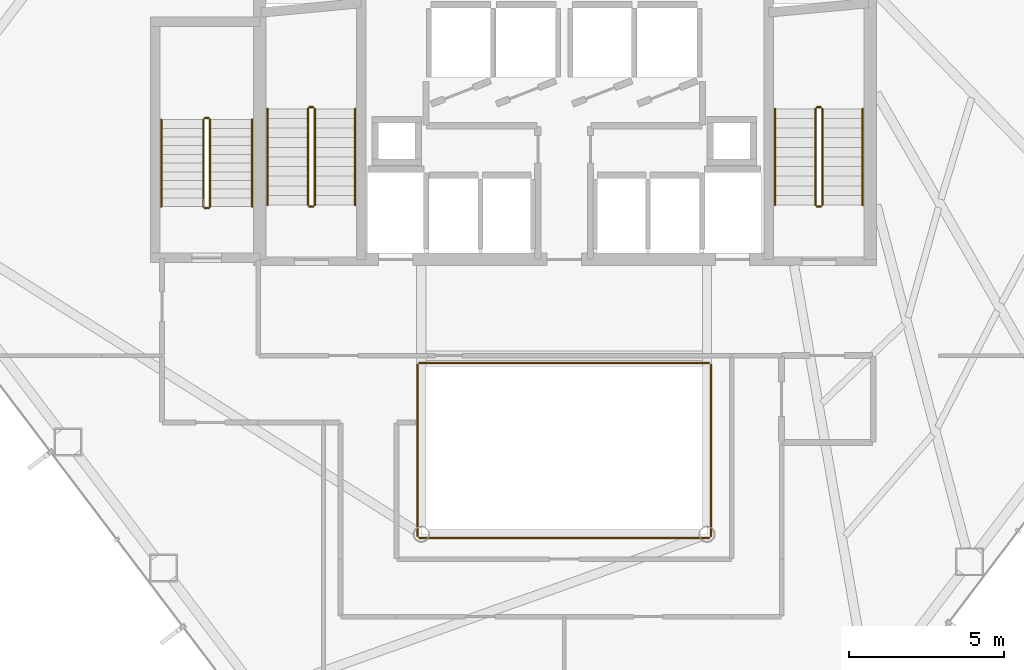
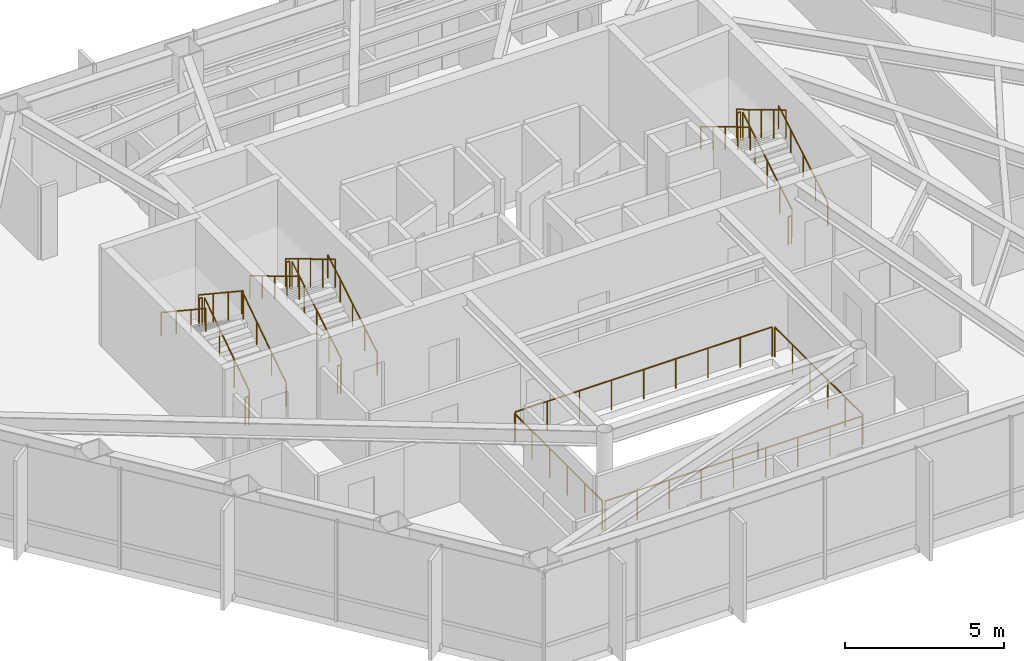
# One storey, part 24 of 24: 22 railings.
"""IFC4 building model written with IfcOpenShell, lengths in metres."""

from ifc_helpers import new_model, si_unit, direction, frame, origin, origin_2d, place, context, subcontext, project, spatial, circle, extrude, material, type_object, element, save


model = new_model("IFC4")

# Units and contexts
model_context = context("Model", 3, precision=1e-05, world=origin(), true_north=direction((0.0, 1.0)))
body_context = subcontext(model_context, "Body", "Model", "MODEL_VIEW")
ifc_project = project(units=[si_unit("LENGTHUNIT", "METRE"), si_unit("AREAUNIT", "SQUARE_METRE"), si_unit("VOLUMEUNIT", "CUBIC_METRE"), si_unit("PLANEANGLEUNIT", "RADIAN"), si_unit("MASSUNIT", "GRAM", prefix="KILO")], contexts=[model_context])

# Site, building, storey
site_placement = place(None, origin())
site = spatial("IfcSite", under=ifc_project, at=site_placement, CompositionType="ELEMENT")
building_placement = place(site_placement, origin())
building = spatial("IfcBuilding", under=site, at=building_placement, Name="Zarrinselat Tower", CompositionType="ELEMENT")
storey_placement = place(building_placement, frame((0.0, 0.0, 76.5)))
storey = spatial("IfcBuildingStorey", under=building, at=storey_placement, Name="L18", CompositionType="ELEMENT", Elevation=76.5)

# Railings
ifc_material_1 = material(Name="Double Low-E Laminated Solar Glass", Category="glass")
railing_type_1 = type_object("IfcRailingType", Name="RLG-ATRIUM-BAL", PredefinedType="BALUSTRADE", material=ifc_material_1)
railing_1_placement = place(storey_placement, frame((33.739990234375, 24.280029296875, 0.0)))
element("IfcRailing", 1, at=railing_1_placement, inside=storey, type_object=railing_type_1, Name="L18 Atrium Void Glass Balustrade S", PredefinedType="BALUSTRADE", context=body_context, shape_type="SweptSolid", body=[
    extrude(circle(Radius=0.02392578125, at=origin_2d()), frame((0.0, 0.0, 1.1259765625), z_axis=(1.0, 0.0, 0.0), x_axis=(0.0, 1.0, 0.0)), (0.0, 0.0, 1.0), 9.320068359375),
    extrude(circle(Radius=0.02099609375, at=origin_2d()), origin(), (0.0, 0.0, 1.0), 1.099853515625),
    extrude(circle(Radius=0.02099609375, at=origin_2d()), frame((1.1650390625, 0.0, 0.0)), (0.0, 0.0, 1.0), 1.099853515625),
    extrude(circle(Radius=0.02099609375, at=origin_2d()), frame((2.330078125, 0.0, 0.0)), (0.0, 0.0, 1.0), 1.099853515625),
    extrude(circle(Radius=0.02099609375, at=origin_2d()), frame((3.4951171875, 0.0, 0.0)), (0.0, 0.0, 1.0), 1.099853515625),
    extrude(circle(Radius=0.02099609375, at=origin_2d()), frame((4.66015625, 0.0, 0.0)), (0.0, 0.0, 1.0), 1.099853515625),
    extrude(circle(Radius=0.02099609375, at=origin_2d()), frame((5.824951171875, 0.0, 0.0)), (0.0, 0.0, 1.0), 1.099853515625),
    extrude(circle(Radius=0.02099609375, at=origin_2d()), frame((6.989990234375, 0.0, 0.0)), (0.0, 0.0, 1.0), 1.099853515625),
    extrude(circle(Radius=0.02099609375, at=origin_2d()), frame((8.155029296875, 0.0, 0.0)), (0.0, 0.0, 1.0), 1.099853515625),
    extrude(circle(Radius=0.02099609375, at=origin_2d()), frame((9.320068359375, 0.0, 0.0)), (0.0, 0.0, 1.0), 1.099853515625),
])
railing_2_placement = place(storey_placement, frame((43.1201171875, 24.340087890625, 0.0)))
element("IfcRailing", 2, at=railing_2_placement, inside=storey, type_object=railing_type_1, Name="L18 Atrium Void Glass Balustrade E", PredefinedType="BALUSTRADE", context=body_context, shape_type="SweptSolid", body=[
    extrude(circle(Radius=0.02392578125, at=origin_2d()), frame((0.0, 0.0, 1.1259765625), z_axis=(0.0, 1.0, 0.0), x_axis=(-1.0, 0.0, 0.0)), (0.0, 0.0, 1.0), 5.52001953125),
    extrude(circle(Radius=0.02099609375, at=origin_2d()), origin(), (0.0, 0.0, 1.0), 1.099853515625),
    extrude(circle(Radius=0.02099609375, at=origin_2d()), frame((0.0, 1.10400390625, 0.0)), (0.0, 0.0, 1.0), 1.099853515625),
    extrude(circle(Radius=0.02099609375, at=origin_2d()), frame((0.0, 2.2080078125, 0.0)), (0.0, 0.0, 1.0), 1.099853515625),
    extrude(circle(Radius=0.02099609375, at=origin_2d()), frame((0.0, 3.31201171875, 0.0)), (0.0, 0.0, 1.0), 1.099853515625),
    extrude(circle(Radius=0.02099609375, at=origin_2d()), frame((0.0, 4.416015625, 0.0)), (0.0, 0.0, 1.0), 1.099853515625),
    extrude(circle(Radius=0.02099609375, at=origin_2d()), frame((0.0, 5.52001953125, 0.0)), (0.0, 0.0, 1.0), 1.099853515625),
])
railing_3_placement = place(storey_placement, frame((43.06005859375, 29.919921875, 0.0)))
element("IfcRailing", 3, at=railing_3_placement, inside=storey, type_object=railing_type_1, Name="L18 Atrium Void Glass Balustrade N", PredefinedType="BALUSTRADE", context=body_context, shape_type="SweptSolid", body=[
    extrude(circle(Radius=0.02392578125, at=origin_2d()), frame((0.0, 0.0, 1.1259765625), z_axis=(-1.0, 0.0, 0.0), x_axis=(0.0, -1.0, 0.0)), (0.0, 0.0, 1.0), 9.320068359375),
    extrude(circle(Radius=0.02099609375, at=origin_2d()), origin(), (0.0, 0.0, 1.0), 1.099853515625),
    extrude(circle(Radius=0.02099609375, at=origin_2d()), frame((-1.1650390625, 0.0, 0.0)), (0.0, 0.0, 1.0), 1.099853515625),
    extrude(circle(Radius=0.02099609375, at=origin_2d()), frame((-2.330078125, 0.0, 0.0)), (0.0, 0.0, 1.0), 1.099853515625),
    extrude(circle(Radius=0.02099609375, at=origin_2d()), frame((-3.4951171875, 0.0, 0.0)), (0.0, 0.0, 1.0), 1.099853515625),
    extrude(circle(Radius=0.02099609375, at=origin_2d()), frame((-4.66015625, 0.0, 0.0)), (0.0, 0.0, 1.0), 1.099853515625),
    extrude(circle(Radius=0.02099609375, at=origin_2d()), frame((-5.824951171875, 0.0, 0.0)), (0.0, 0.0, 1.0), 1.099853515625),
    extrude(circle(Radius=0.02099609375, at=origin_2d()), frame((-6.989990234375, 0.0, 0.0)), (0.0, 0.0, 1.0), 1.099853515625),
    extrude(circle(Radius=0.02099609375, at=origin_2d()), frame((-8.155029296875, 0.0, 0.0)), (0.0, 0.0, 1.0), 1.099853515625),
    extrude(circle(Radius=0.02099609375, at=origin_2d()), frame((-9.320068359375, 0.0, 0.0)), (0.0, 0.0, 1.0), 1.099853515625),
])
railing_4_placement = place(storey_placement, frame((33.679931640625, 29.860107421875, 0.0)))
element("IfcRailing", 4, at=railing_4_placement, inside=storey, type_object=railing_type_1, Name="L18 Atrium Void Glass Balustrade W", PredefinedType="BALUSTRADE", context=body_context, shape_type="SweptSolid", body=[
    extrude(circle(Radius=0.02392578125, at=origin_2d()), frame((0.0, 0.0, 1.1259765625), z_axis=(0.0, -1.0, 0.0), x_axis=(1.0, 0.0, 0.0)), (0.0, 0.0, 1.0), 5.52001953125),
    extrude(circle(Radius=0.02099609375, at=origin_2d()), origin(), (0.0, 0.0, 1.0), 1.099853515625),
    extrude(circle(Radius=0.02099609375, at=origin_2d()), frame((0.0, -1.10400390625, 0.0)), (0.0, 0.0, 1.0), 1.099853515625),
    extrude(circle(Radius=0.02099609375, at=origin_2d()), frame((0.0, -2.2080078125, 0.0)), (0.0, 0.0, 1.0), 1.099853515625),
    extrude(circle(Radius=0.02099609375, at=origin_2d()), frame((0.0, -3.31201171875, 0.0)), (0.0, 0.0, 1.0), 1.099853515625),
    extrude(circle(Radius=0.02099609375, at=origin_2d()), frame((0.0, -4.416015625, 0.0)), (0.0, 0.0, 1.0), 1.099853515625),
    extrude(circle(Radius=0.02099609375, at=origin_2d()), frame((0.0, -5.52001953125, 0.0)), (0.0, 0.0, 1.0), 1.099853515625),
])
ifc_material_2 = material(Name="Steel S355J2", Category="steel")
railing_type_2 = type_object("IfcRailingType", Name="RLG-STAIR-GUARD", PredefinedType="GUARDRAIL", material=ifc_material_2)
railing_5_placement = place(storey_placement, frame((30.3701171875, 35.0, 0.185546875)))
element("IfcRailing", 5, at=railing_5_placement, inside=storey, type_object=railing_type_2, Name="L18 ST-1 stair guard 1", PredefinedType="GUARDRAIL", context=body_context, shape_type="SweptSolid", body=[
    extrude(circle(Radius=0.02392578125, at=origin_2d()), frame((0.0, 0.0, 1.076171875), z_axis=(0.0, 0.858171985069, 0.513362293163), x_axis=(-1.0, 0.0, 0.0)), (0.0, 0.0, 1.0), 3.612548828125),
    extrude(circle(Radius=0.02099609375, at=origin_2d()), origin(), (0.0, 0.0, 1.0), 1.050048828125),
    extrude(circle(Radius=0.02099609375, at=origin_2d()), frame((0.0, 0.77490234375, 0.463623046875)), (0.0, 0.0, 1.0), 1.050048828125),
    extrude(circle(Radius=0.02099609375, at=origin_2d()), frame((0.0, 1.550048828125, 0.92724609375)), (0.0, 0.0, 1.0), 1.050048828125),
    extrude(circle(Radius=0.02099609375, at=origin_2d()), frame((0.0, 2.3251953125, 1.390869140625)), (0.0, 0.0, 1.0), 1.050048828125),
    extrude(circle(Radius=0.02099609375, at=origin_2d()), frame((0.0, 3.10009765625, 1.8544921875)), (0.0, 0.0, 1.0), 1.050048828125),
])
railing_6_placement = place(storey_placement, frame((30.320068359375, 38.14990234375, 2.0400390625)))
element("IfcRailing", 6, at=railing_6_placement, inside=storey, type_object=railing_type_2, Name="L18 ST-1 stair guard 2", PredefinedType="GUARDRAIL", context=body_context, shape_type="SweptSolid", body=[
    extrude(circle(Radius=0.02392578125, at=origin_2d()), frame((0.0, 0.0, 1.076171875), z_axis=(-1.0, 0.0, 0.0), x_axis=(0.0, -1.0, 0.0)), (0.0, 0.0, 1.0), 0.1201171875),
    extrude(circle(Radius=0.02099609375, at=origin_2d()), origin(), (0.0, 0.0, 1.0), 1.050048828125),
    extrude(circle(Radius=0.02099609375, at=origin_2d()), frame((-0.1201171875, 0.0, 0.0)), (0.0, 0.0, 1.0), 1.050048828125),
])
railing_7_placement = place(storey_placement, frame((30.14990234375, 38.10009765625, 2.225341796875)))
element("IfcRailing", 7, at=railing_7_placement, inside=storey, type_object=railing_type_2, Name="L18 ST-1 stair guard 3", PredefinedType="GUARDRAIL", context=body_context, shape_type="SweptSolid", body=[
    extrude(circle(Radius=0.02392578125, at=origin_2d()), frame((0.0, 0.0, 1.076171875), z_axis=(0.0, -0.858142210651, 0.513412062869), x_axis=(1.0, 0.0, 0.0)), (0.0, 0.0, 1.0), 3.612548828125),
    extrude(circle(Radius=0.02099609375, at=origin_2d()), origin(), (0.0, 0.0, 1.0), 1.050048828125),
    extrude(circle(Radius=0.02099609375, at=origin_2d()), frame((0.0, -0.77490234375, 0.463623046875)), (0.0, 0.0, 1.0), 1.050048828125),
    extrude(circle(Radius=0.02099609375, at=origin_2d()), frame((0.0, -1.550048828125, 0.92724609375)), (0.0, 0.0, 1.0), 1.050048828125),
    extrude(circle(Radius=0.02099609375, at=origin_2d()), frame((0.0, -2.3251953125, 1.39111328125)), (0.0, 0.0, 1.0), 1.050048828125),
    extrude(circle(Radius=0.02099609375, at=origin_2d()), frame((0.0, -3.10009765625, 1.854736328125)), (0.0, 0.0, 1.0), 1.050048828125),
])
railing_8_placement = place(storey_placement, frame((30.320068359375, 34.949951171875, 0.0)))
element("IfcRailing", 8, at=railing_8_placement, inside=storey, type_object=railing_type_2, Name="L18 ST-1 stair guard 4", PredefinedType="GUARDRAIL", context=body_context, shape_type="SweptSolid", body=[
    extrude(circle(Radius=0.02392578125, at=origin_2d()), frame((0.0, 0.0, 1.076171875), z_axis=(-1.0, 0.0, 0.0), x_axis=(0.0, -1.0, 0.0)), (0.0, 0.0, 1.0), 0.1201171875),
    extrude(circle(Radius=0.02099609375, at=origin_2d()), origin(), (0.0, 0.0, 1.0), 1.050048828125),
    extrude(circle(Radius=0.02099609375, at=origin_2d()), frame((-0.1201171875, 0.0, 0.0)), (0.0, 0.0, 1.0), 1.050048828125),
])
railing_9_placement = place(storey_placement, frame((46.7099609375, 35.0, 0.185546875)))
element("IfcRailing", 9, at=railing_9_placement, inside=storey, type_object=railing_type_2, Name="L18 ST-2 stair guard 1", PredefinedType="GUARDRAIL", context=body_context, shape_type="SweptSolid", body=[
    extrude(circle(Radius=0.02392578125, at=origin_2d()), frame((0.0, 0.0, 1.076171875), z_axis=(0.0, 0.858171985069, 0.513362293163), x_axis=(-1.0, 0.0, 0.0)), (0.0, 0.0, 1.0), 3.612548828125),
    extrude(circle(Radius=0.02099609375, at=origin_2d()), origin(), (0.0, 0.0, 1.0), 1.050048828125),
    extrude(circle(Radius=0.02099609375, at=origin_2d()), frame((0.0, 0.77490234375, 0.463623046875)), (0.0, 0.0, 1.0), 1.050048828125),
    extrude(circle(Radius=0.02099609375, at=origin_2d()), frame((0.0, 1.550048828125, 0.92724609375)), (0.0, 0.0, 1.0), 1.050048828125),
    extrude(circle(Radius=0.02099609375, at=origin_2d()), frame((0.0, 2.3251953125, 1.390869140625)), (0.0, 0.0, 1.0), 1.050048828125),
    extrude(circle(Radius=0.02099609375, at=origin_2d()), frame((0.0, 3.10009765625, 1.8544921875)), (0.0, 0.0, 1.0), 1.050048828125),
])
railing_10_placement = place(storey_placement, frame((46.659912109375, 38.14990234375, 2.0400390625)))
element("IfcRailing", 10, at=railing_10_placement, inside=storey, type_object=railing_type_2, Name="L18 ST-2 stair guard 2", PredefinedType="GUARDRAIL", context=body_context, shape_type="SweptSolid", body=[
    extrude(circle(Radius=0.02392578125, at=origin_2d()), frame((0.0, 0.0, 1.076171875), z_axis=(-1.0, 0.0, 0.0), x_axis=(0.0, -1.0, 0.0)), (0.0, 0.0, 1.0), 0.119873046875),
    extrude(circle(Radius=0.02099609375, at=origin_2d()), origin(), (0.0, 0.0, 1.0), 1.050048828125),
    extrude(circle(Radius=0.02099609375, at=origin_2d()), frame((-0.119873046875, 0.0, 0.0)), (0.0, 0.0, 1.0), 1.050048828125),
])
railing_11_placement = place(storey_placement, frame((46.489990234375, 38.10009765625, 2.225341796875)))
element("IfcRailing", 11, at=railing_11_placement, inside=storey, type_object=railing_type_2, Name="L18 ST-2 stair guard 3", PredefinedType="GUARDRAIL", context=body_context, shape_type="SweptSolid", body=[
    extrude(circle(Radius=0.02392578125, at=origin_2d()), frame((0.0, 0.0, 1.076171875), z_axis=(0.0, -0.858142210651, 0.513412062869), x_axis=(1.0, 0.0, 0.0)), (0.0, 0.0, 1.0), 3.612548828125),
    extrude(circle(Radius=0.02099609375, at=origin_2d()), origin(), (0.0, 0.0, 1.0), 1.050048828125),
    extrude(circle(Radius=0.02099609375, at=origin_2d()), frame((0.0, -0.77490234375, 0.463623046875)), (0.0, 0.0, 1.0), 1.050048828125),
    extrude(circle(Radius=0.02099609375, at=origin_2d()), frame((0.0, -1.550048828125, 0.92724609375)), (0.0, 0.0, 1.0), 1.050048828125),
    extrude(circle(Radius=0.02099609375, at=origin_2d()), frame((0.0, -2.3251953125, 1.39111328125)), (0.0, 0.0, 1.0), 1.050048828125),
    extrude(circle(Radius=0.02099609375, at=origin_2d()), frame((0.0, -3.10009765625, 1.854736328125)), (0.0, 0.0, 1.0), 1.050048828125),
])
railing_12_placement = place(storey_placement, frame((46.659912109375, 34.949951171875, 0.0)))
element("IfcRailing", 12, at=railing_12_placement, inside=storey, type_object=railing_type_2, Name="L18 ST-2 stair guard 4", PredefinedType="GUARDRAIL", context=body_context, shape_type="SweptSolid", body=[
    extrude(circle(Radius=0.02392578125, at=origin_2d()), frame((0.0, 0.0, 1.076171875), z_axis=(-1.0, 0.0, 0.0), x_axis=(0.0, -1.0, 0.0)), (0.0, 0.0, 1.0), 0.119873046875),
    extrude(circle(Radius=0.02099609375, at=origin_2d()), origin(), (0.0, 0.0, 1.0), 1.050048828125),
    extrude(circle(Radius=0.02099609375, at=origin_2d()), frame((-0.119873046875, 0.0, 0.0)), (0.0, 0.0, 1.0), 1.050048828125),
])
railing_13_placement = place(storey_placement, frame((27.0, 34.949951171875, 0.185546875)))
element("IfcRailing", 13, at=railing_13_placement, inside=storey, type_object=railing_type_2, Name="L18 ST-3 stair guard 1", PredefinedType="GUARDRAIL", context=body_context, shape_type="SweptSolid", body=[
    extrude(circle(Radius=0.02392578125, at=origin_2d()), frame((0.0, 0.0, 1.076171875), z_axis=(0.0, 0.833724036255, 0.552181339209), x_axis=(-1.0, 0.0, 0.0)), (0.0, 0.0, 1.0), 3.3583984375),
    extrude(circle(Radius=0.02099609375, at=origin_2d()), origin(), (0.0, 0.0, 1.0), 1.050048828125),
    extrude(circle(Radius=0.02099609375, at=origin_2d()), frame((0.0, 0.933349609375, 0.6181640625)), (0.0, 0.0, 1.0), 1.050048828125),
    extrude(circle(Radius=0.02099609375, at=origin_2d()), frame((0.0, 1.86669921875, 1.236328125)), (0.0, 0.0, 1.0), 1.050048828125),
    extrude(circle(Radius=0.02099609375, at=origin_2d()), frame((0.0, 2.800048828125, 1.8544921875)), (0.0, 0.0, 1.0), 1.050048828125),
])
railing_14_placement = place(storey_placement, frame((26.949951171875, 37.800048828125, 2.0400390625)))
element("IfcRailing", 14, at=railing_14_placement, inside=storey, type_object=railing_type_2, Name="L18 ST-3 stair guard 2", PredefinedType="GUARDRAIL", context=body_context, shape_type="SweptSolid", body=[
    extrude(circle(Radius=0.02392578125, at=origin_2d()), frame((0.0, 0.0, 1.076171875), z_axis=(-1.0, 0.0, 0.0), x_axis=(0.0, -1.0, 0.0)), (0.0, 0.0, 1.0), 0.119873046875),
    extrude(circle(Radius=0.02099609375, at=origin_2d()), origin(), (0.0, 0.0, 1.0), 1.050048828125),
    extrude(circle(Radius=0.02099609375, at=origin_2d()), frame((-0.119873046875, 0.0, 0.0)), (0.0, 0.0, 1.0), 1.050048828125),
])
railing_15_placement = place(storey_placement, frame((26.780029296875, 37.75, 2.225341796875)))
element("IfcRailing", 15, at=railing_15_placement, inside=storey, type_object=railing_type_2, Name="L18 ST-3 stair guard 3", PredefinedType="GUARDRAIL", context=body_context, shape_type="SweptSolid", body=[
    extrude(circle(Radius=0.02392578125, at=origin_2d()), frame((0.0, 0.0, 1.076171875), z_axis=(0.0, -0.833690570297, 0.55223186525), x_axis=(1.0, 0.0, 0.0)), (0.0, 0.0, 1.0), 3.358642578125),
    extrude(circle(Radius=0.02099609375, at=origin_2d()), origin(), (0.0, 0.0, 1.0), 1.050048828125),
    extrude(circle(Radius=0.02099609375, at=origin_2d()), frame((0.0, -0.933349609375, 0.6181640625)), (0.0, 0.0, 1.0), 1.050048828125),
    extrude(circle(Radius=0.02099609375, at=origin_2d()), frame((0.0, -1.86669921875, 1.236572265625)), (0.0, 0.0, 1.0), 1.050048828125),
    extrude(circle(Radius=0.02099609375, at=origin_2d()), frame((0.0, -2.800048828125, 1.854736328125)), (0.0, 0.0, 1.0), 1.050048828125),
])
railing_16_placement = place(storey_placement, frame((26.949951171875, 34.89990234375, 0.0)))
element("IfcRailing", 16, at=railing_16_placement, inside=storey, type_object=railing_type_2, Name="L18 ST-3 stair guard 4", PredefinedType="GUARDRAIL", context=body_context, shape_type="SweptSolid", body=[
    extrude(circle(Radius=0.02392578125, at=origin_2d()), frame((0.0, 0.0, 1.076171875), z_axis=(-1.0, 0.0, 0.0), x_axis=(0.0, -1.0, 0.0)), (0.0, 0.0, 1.0), 0.119873046875),
    extrude(circle(Radius=0.02099609375, at=origin_2d()), origin(), (0.0, 0.0, 1.0), 1.050048828125),
    extrude(circle(Radius=0.02099609375, at=origin_2d()), frame((-0.119873046875, 0.0, 0.0)), (0.0, 0.0, 1.0), 1.050048828125),
])
ifc_material_3 = material(Name="Steel S355J2", Category="steel")
railing_type_3 = type_object("IfcRailingType", Name="RLG-STAIR-HAND", PredefinedType="HANDRAIL", material=ifc_material_3)
railing_17_placement = place(storey_placement, frame((31.669921875, 35.0, 0.185546875)))
element("IfcRailing", 17, at=railing_17_placement, inside=storey, type_object=railing_type_3, Name="L18 ST-1 stair handrail 1", PredefinedType="HANDRAIL", context=body_context, shape_type="SweptSolid", body=[
    extrude(circle(Radius=0.02392578125, at=origin_2d()), frame((0.0, 0.0, 0.8759765625), z_axis=(0.0, 0.858171985069, 0.513362293163), x_axis=(-1.0, 0.0, 0.0)), (0.0, 0.0, 1.0), 3.612548828125),
    extrude(circle(Radius=0.02099609375, at=origin_2d()), origin(), (0.0, 0.0, 1.0), 0.849853515625),
    extrude(circle(Radius=0.02099609375, at=origin_2d()), frame((0.0, 0.77490234375, 0.463623046875)), (0.0, 0.0, 1.0), 0.849853515625),
    extrude(circle(Radius=0.02099609375, at=origin_2d()), frame((0.0, 1.550048828125, 0.92724609375)), (0.0, 0.0, 1.0), 0.849853515625),
    extrude(circle(Radius=0.02099609375, at=origin_2d()), frame((0.0, 2.3251953125, 1.390869140625)), (0.0, 0.0, 1.0), 0.849853515625),
    extrude(circle(Radius=0.02099609375, at=origin_2d()), frame((0.0, 3.10009765625, 1.8544921875)), (0.0, 0.0, 1.0), 0.849853515625),
])
railing_18_placement = place(storey_placement, frame((28.85009765625, 38.10009765625, 2.225341796875)))
element("IfcRailing", 18, at=railing_18_placement, inside=storey, type_object=railing_type_3, Name="L18 ST-1 stair handrail 2", PredefinedType="HANDRAIL", context=body_context, shape_type="SweptSolid", body=[
    extrude(circle(Radius=0.02392578125, at=origin_2d()), frame((0.0, 0.0, 0.8759765625), z_axis=(0.0, -0.858142210651, 0.513412062869), x_axis=(1.0, 0.0, 0.0)), (0.0, 0.0, 1.0), 3.612548828125),
    extrude(circle(Radius=0.02099609375, at=origin_2d()), origin(), (0.0, 0.0, 1.0), 0.849853515625),
    extrude(circle(Radius=0.02099609375, at=origin_2d()), frame((0.0, -0.77490234375, 0.463623046875)), (0.0, 0.0, 1.0), 0.849853515625),
    extrude(circle(Radius=0.02099609375, at=origin_2d()), frame((0.0, -1.550048828125, 0.92724609375)), (0.0, 0.0, 1.0), 0.849853515625),
    extrude(circle(Radius=0.02099609375, at=origin_2d()), frame((0.0, -2.3251953125, 1.39111328125)), (0.0, 0.0, 1.0), 0.849853515625),
    extrude(circle(Radius=0.02099609375, at=origin_2d()), frame((0.0, -3.10009765625, 1.854736328125)), (0.0, 0.0, 1.0), 0.849853515625),
])
railing_19_placement = place(storey_placement, frame((48.010009765625, 35.0, 0.185546875)))
element("IfcRailing", 19, at=railing_19_placement, inside=storey, type_object=railing_type_3, Name="L18 ST-2 stair handrail 1", PredefinedType="HANDRAIL", context=body_context, shape_type="SweptSolid", body=[
    extrude(circle(Radius=0.02392578125, at=origin_2d()), frame((0.0, 0.0, 0.8759765625), z_axis=(0.0, 0.858171985069, 0.513362293163), x_axis=(-1.0, 0.0, 0.0)), (0.0, 0.0, 1.0), 3.612548828125),
    extrude(circle(Radius=0.02099609375, at=origin_2d()), origin(), (0.0, 0.0, 1.0), 0.849853515625),
    extrude(circle(Radius=0.02099609375, at=origin_2d()), frame((0.0, 0.77490234375, 0.463623046875)), (0.0, 0.0, 1.0), 0.849853515625),
    extrude(circle(Radius=0.02099609375, at=origin_2d()), frame((0.0, 1.550048828125, 0.92724609375)), (0.0, 0.0, 1.0), 0.849853515625),
    extrude(circle(Radius=0.02099609375, at=origin_2d()), frame((0.0, 2.3251953125, 1.390869140625)), (0.0, 0.0, 1.0), 0.849853515625),
    extrude(circle(Radius=0.02099609375, at=origin_2d()), frame((0.0, 3.10009765625, 1.8544921875)), (0.0, 0.0, 1.0), 0.849853515625),
])
railing_20_placement = place(storey_placement, frame((45.18994140625, 38.10009765625, 2.225341796875)))
element("IfcRailing", 20, at=railing_20_placement, inside=storey, type_object=railing_type_3, Name="L18 ST-2 stair handrail 2", PredefinedType="HANDRAIL", context=body_context, shape_type="SweptSolid", body=[
    extrude(circle(Radius=0.02392578125, at=origin_2d()), frame((0.0, 0.0, 0.8759765625), z_axis=(0.0, -0.858142210651, 0.513412062869), x_axis=(1.0, 0.0, 0.0)), (0.0, 0.0, 1.0), 3.612548828125),
    extrude(circle(Radius=0.02099609375, at=origin_2d()), origin(), (0.0, 0.0, 1.0), 0.849853515625),
    extrude(circle(Radius=0.02099609375, at=origin_2d()), frame((0.0, -0.77490234375, 0.463623046875)), (0.0, 0.0, 1.0), 0.849853515625),
    extrude(circle(Radius=0.02099609375, at=origin_2d()), frame((0.0, -1.550048828125, 0.92724609375)), (0.0, 0.0, 1.0), 0.849853515625),
    extrude(circle(Radius=0.02099609375, at=origin_2d()), frame((0.0, -2.3251953125, 1.39111328125)), (0.0, 0.0, 1.0), 0.849853515625),
    extrude(circle(Radius=0.02099609375, at=origin_2d()), frame((0.0, -3.10009765625, 1.854736328125)), (0.0, 0.0, 1.0), 0.849853515625),
])
railing_21_placement = place(storey_placement, frame((28.35009765625, 34.949951171875, 0.185546875)))
element("IfcRailing", 21, at=railing_21_placement, inside=storey, type_object=railing_type_3, Name="L18 ST-3 stair handrail 1", PredefinedType="HANDRAIL", context=body_context, shape_type="SweptSolid", body=[
    extrude(circle(Radius=0.02392578125, at=origin_2d()), frame((0.0, 0.0, 0.8759765625), z_axis=(0.0, 0.833724036255, 0.552181339209), x_axis=(-1.0, 0.0, 0.0)), (0.0, 0.0, 1.0), 3.3583984375),
    extrude(circle(Radius=0.02099609375, at=origin_2d()), origin(), (0.0, 0.0, 1.0), 0.849853515625),
    extrude(circle(Radius=0.02099609375, at=origin_2d()), frame((0.0, 0.933349609375, 0.6181640625)), (0.0, 0.0, 1.0), 0.849853515625),
    extrude(circle(Radius=0.02099609375, at=origin_2d()), frame((0.0, 1.86669921875, 1.236328125)), (0.0, 0.0, 1.0), 0.849853515625),
    extrude(circle(Radius=0.02099609375, at=origin_2d()), frame((0.0, 2.800048828125, 1.8544921875)), (0.0, 0.0, 1.0), 0.849853515625),
])
railing_22_placement = place(storey_placement, frame((25.429931640625, 37.75, 2.225341796875)))
element("IfcRailing", 22, at=railing_22_placement, inside=storey, type_object=railing_type_3, Name="L18 ST-3 stair handrail 2", PredefinedType="HANDRAIL", context=body_context, shape_type="SweptSolid", body=[
    extrude(circle(Radius=0.02392578125, at=origin_2d()), frame((0.0, 0.0, 0.8759765625), z_axis=(0.0, -0.833690570297, 0.55223186525), x_axis=(1.0, 0.0, 0.0)), (0.0, 0.0, 1.0), 3.358642578125),
    extrude(circle(Radius=0.02099609375, at=origin_2d()), origin(), (0.0, 0.0, 1.0), 0.849853515625),
    extrude(circle(Radius=0.02099609375, at=origin_2d()), frame((0.0, -0.933349609375, 0.6181640625)), (0.0, 0.0, 1.0), 0.849853515625),
    extrude(circle(Radius=0.02099609375, at=origin_2d()), frame((0.0, -1.86669921875, 1.236572265625)), (0.0, 0.0, 1.0), 0.849853515625),
    extrude(circle(Radius=0.02099609375, at=origin_2d()), frame((0.0, -2.800048828125, 1.854736328125)), (0.0, 0.0, 1.0), 0.849853515625),
])

save(model, "model.ifc")
